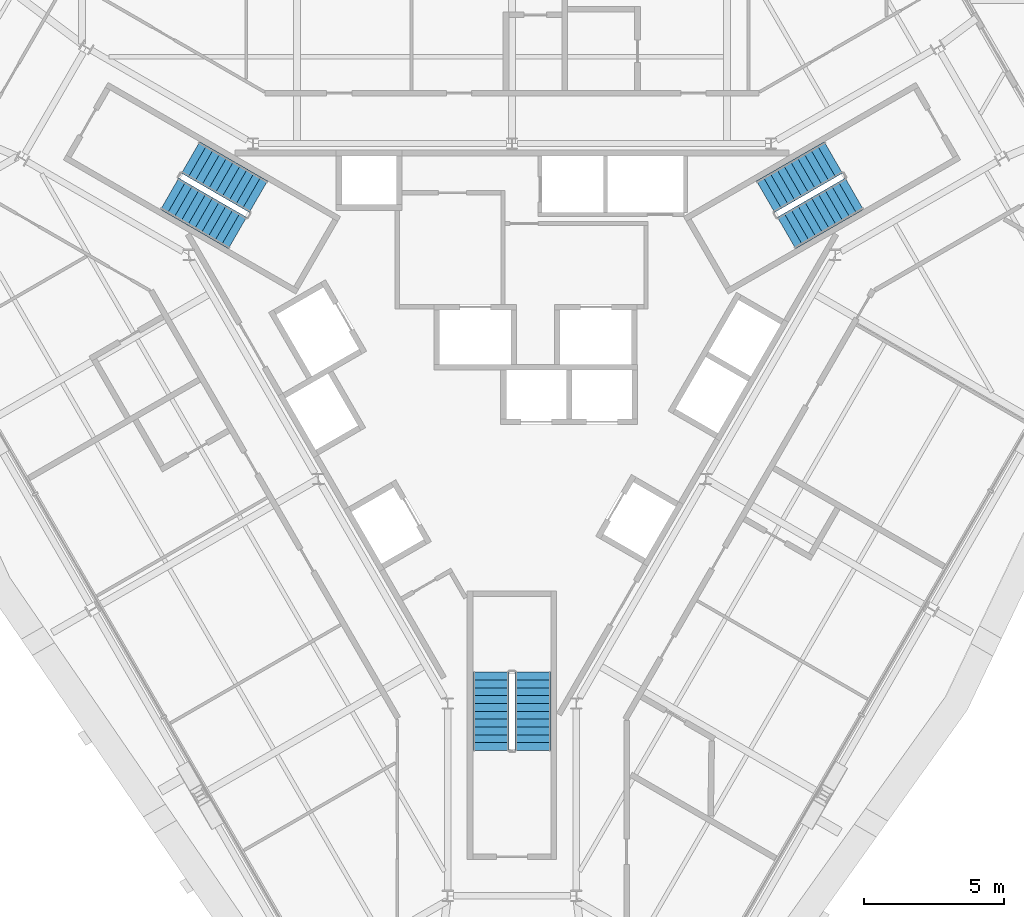
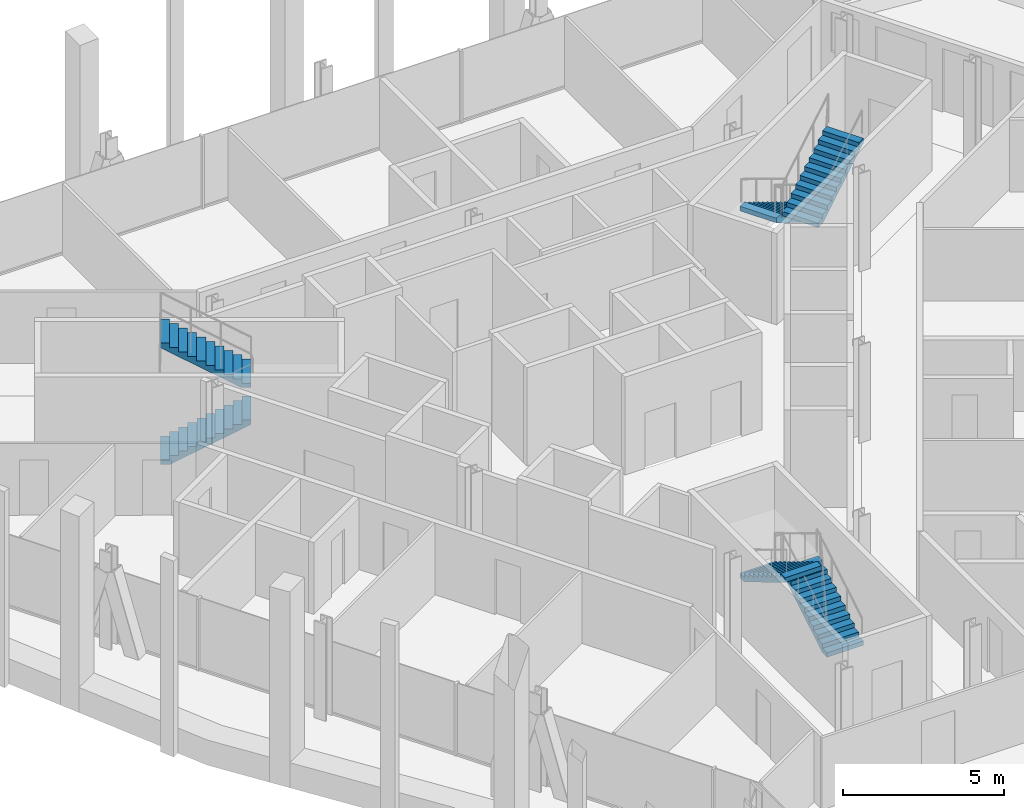
# One storey, part 11 of 13: 6 stair flights, 3 elements without a shape of their own.
"""IFC4 building model written with IfcOpenShell, lengths in metres."""

from ifc_helpers import new_model, si_unit, direction, frame, origin, place, context, subcontext, project, spatial, polyline, outline, extrude, material, type_object, element, aggregate, save


model = new_model("IFC4")

# Units and contexts
model_context = context("Model", 3, precision=1e-05, world=origin(), true_north=direction((0.0, 1.0)))
body_context = subcontext(model_context, "Body", "Model", "MODEL_VIEW")
ifc_project = project(units=[si_unit("LENGTHUNIT", "METRE"), si_unit("AREAUNIT", "SQUARE_METRE"), si_unit("VOLUMEUNIT", "CUBIC_METRE"), si_unit("PLANEANGLEUNIT", "RADIAN"), si_unit("MASSUNIT", "GRAM", prefix="KILO")], contexts=[model_context])

# Site, building, storey
site_placement = place(None, origin())
site = spatial("IfcSite", under=ifc_project, at=site_placement, CompositionType="ELEMENT")
building_placement = place(site_placement, origin())
building = spatial("IfcBuilding", under=site, at=building_placement, Name="Verrane Prism Tower", CompositionType="ELEMENT")
storey_placement = place(building_placement, frame((0.0, 0.0, 171.0)))
storey = spatial("IfcBuildingStorey", under=building, at=storey_placement, Name="L42", CompositionType="ELEMENT", Elevation=171.0)

# Stair, stair flights
ifc_material_1 = material(Name="Concrete C40/50", Category="concrete")
stair_type = type_object("IfcStairType", Name="Exit stair 1300 dog-leg precast concrete C40/50", PredefinedType="HALF_TURN_STAIR", material=ifc_material_1)
stair_1_placement = place(storey_placement, origin())
stair_1 = element("IfcStair", 1, at=stair_1_placement, inside=storey, type_object=stair_type, Name="Stair 1 L42", PredefinedType="HALF_TURN_STAIR")
ifc_material_2 = material(Name="Concrete C40/50", Category="concrete")
stair_flight_type = type_object("IfcStairFlightType", Name="Stair flight 1300 precast concrete C40/50", PredefinedType="STRAIGHT", material=ifc_material_2)
stair_flight_1_placement = place(storey_placement, frame((11.489501953125, 7.49951171875, 0.0), z_axis=(0.0, 0.0, 1.0), x_axis=(-0.866025403784, -0.5, 0.0)))
stair_flight_1 = element("IfcStairFlight", 2, at=stair_flight_1_placement, type_object=stair_flight_type, Name="Stair 1 flight 1", NumberOfRisers=11, NumberOfTreads=10, PredefinedType="STRAIGHT", RiserHeight=0.168181818, TreadLength=0.28, context=body_context, shape_type="SweptSolid", body=[
    extrude(outline(polyline([(0.0, 0.0), (0.0, 0.168212890625), (0.280029296875, 0.168212890625), (0.280029296875, 0.33642578125), (0.56005859375, 0.33642578125), (0.56005859375, 0.504638671875), (0.840087890625, 0.504638671875), (0.840087890625, 0.672607421875), (1.1201171875, 0.672607421875), (1.1201171875, 0.8408203125), (1.39990234375, 0.8408203125), (1.39990234375, 1.009033203125), (1.679931640625, 1.009033203125), (1.679931640625, 1.17724609375), (1.9599609375, 1.17724609375), (1.9599609375, 1.345458984375), (2.239990234375, 1.345458984375), (2.239990234375, 1.513671875), (2.52001953125, 1.513671875), (2.52001953125, 1.681884765625), (2.800048828125, 1.681884765625), (2.800048828125, 1.85009765625), (2.800048828125, 1.5068359375), (0.291015625, 0.0), (0.0, 0.0)])), frame((0.0, 0.64990234375, 0.0), z_axis=(0.0, -1.0, 0.0), x_axis=(1.0, 0.0, 0.0)), (0.0, 0.0, 1.0), 1.300048828125),
])
stair_flight_2_placement = place(storey_placement, frame((9.814697265625, 4.800537109375, 1.85009765625), z_axis=(0.0, 0.0, 1.0), x_axis=(0.866025403784, 0.5, 0.0)))
stair_flight_2 = element("IfcStairFlight", 3, at=stair_flight_2_placement, type_object=stair_flight_type, Name="Stair 1 flight 2", NumberOfRisers=11, NumberOfTreads=10, PredefinedType="STRAIGHT", RiserHeight=0.168181818, TreadLength=0.28, context=body_context, shape_type="SweptSolid", body=[
    extrude(outline(polyline([(0.0, 0.0), (0.0, 0.168212890625), (0.280029296875, 0.168212890625), (0.280029296875, 0.33642578125), (0.56005859375, 0.33642578125), (0.56005859375, 0.504638671875), (0.840087890625, 0.504638671875), (0.840087890625, 0.672607421875), (1.1201171875, 0.672607421875), (1.1201171875, 0.8408203125), (1.39990234375, 0.8408203125), (1.39990234375, 1.009033203125), (1.679931640625, 1.009033203125), (1.679931640625, 1.17724609375), (1.9599609375, 1.17724609375), (1.9599609375, 1.345458984375), (2.239990234375, 1.345458984375), (2.239990234375, 1.513671875), (2.52001953125, 1.513671875), (2.52001953125, 1.681884765625), (2.800048828125, 1.681884765625), (2.800048828125, 1.85009765625), (2.800048828125, 1.5068359375), (0.291015625, 0.0), (0.0, 0.0)])), frame((0.0, 0.64990234375, 0.0), z_axis=(0.0, -1.0, 0.0), x_axis=(1.0, 0.0, 0.0)), (0.0, 0.0, 1.0), 1.300048828125),
])
aggregate(stair_1, [stair_flight_1, stair_flight_2])

stair_2_placement = place(storey_placement, origin())
stair_2 = element("IfcStair", 4, at=stair_2_placement, inside=storey, type_object=stair_type, Name="Stair 2 L42", PredefinedType="HALF_TURN_STAIR")
stair_flight_3_placement = place(storey_placement, frame((-12.239501953125, 6.200439453125, 0.0), z_axis=(0.0, 0.0, 1.0), x_axis=(0.866025403784, -0.5, 0.0)))
stair_flight_3 = element("IfcStairFlight", 5, at=stair_flight_3_placement, type_object=stair_flight_type, Name="Stair 2 flight 1", NumberOfRisers=11, NumberOfTreads=10, PredefinedType="STRAIGHT", RiserHeight=0.168181818, TreadLength=0.28, context=body_context, shape_type="SweptSolid", body=[
    extrude(outline(polyline([(0.0, 0.0), (0.0, 0.168212890625), (0.280029296875, 0.168212890625), (0.280029296875, 0.33642578125), (0.56005859375, 0.33642578125), (0.56005859375, 0.504638671875), (0.840087890625, 0.504638671875), (0.840087890625, 0.672607421875), (1.1201171875, 0.672607421875), (1.1201171875, 0.8408203125), (1.39990234375, 0.8408203125), (1.39990234375, 1.009033203125), (1.679931640625, 1.009033203125), (1.679931640625, 1.17724609375), (1.9599609375, 1.17724609375), (1.9599609375, 1.345458984375), (2.239990234375, 1.345458984375), (2.239990234375, 1.513671875), (2.52001953125, 1.513671875), (2.52001953125, 1.681884765625), (2.800048828125, 1.681884765625), (2.800048828125, 1.85009765625), (2.800048828125, 1.5068359375), (0.291015625, 0.0), (0.0, 0.0)])), frame((0.0, 0.64990234375, 0.0), z_axis=(0.0, -1.0, 0.0), x_axis=(1.0, 0.0, 0.0)), (0.0, 0.0, 1.0), 1.300048828125),
])
stair_flight_4_placement = place(storey_placement, frame((-9.064697265625, 6.099609375, 1.85009765625), z_axis=(0.0, 0.0, 1.0), x_axis=(-0.866025403784, 0.5, 0.0)))
stair_flight_4 = element("IfcStairFlight", 6, at=stair_flight_4_placement, type_object=stair_flight_type, Name="Stair 2 flight 2", NumberOfRisers=11, NumberOfTreads=10, PredefinedType="STRAIGHT", RiserHeight=0.168181818, TreadLength=0.28, context=body_context, shape_type="SweptSolid", body=[
    extrude(outline(polyline([(0.0, 0.0), (0.0, 0.168212890625), (0.280029296875, 0.168212890625), (0.280029296875, 0.33642578125), (0.56005859375, 0.33642578125), (0.56005859375, 0.504638671875), (0.840087890625, 0.504638671875), (0.840087890625, 0.672607421875), (1.1201171875, 0.672607421875), (1.1201171875, 0.8408203125), (1.39990234375, 0.8408203125), (1.39990234375, 1.009033203125), (1.679931640625, 1.009033203125), (1.679931640625, 1.17724609375), (1.9599609375, 1.17724609375), (1.9599609375, 1.345458984375), (2.239990234375, 1.345458984375), (2.239990234375, 1.513671875), (2.52001953125, 1.513671875), (2.52001953125, 1.681884765625), (2.800048828125, 1.681884765625), (2.800048828125, 1.85009765625), (2.800048828125, 1.5068359375), (0.291015625, 0.0), (0.0, 0.0)])), frame((0.0, 0.64990234375, 0.0), z_axis=(0.0, -1.0, 0.0), x_axis=(1.0, 0.0, 0.0)), (0.0, 0.0, 1.0), 1.300048828125),
])
aggregate(stair_2, [stair_flight_3, stair_flight_4])

stair_3_placement = place(storey_placement, origin())
stair_3 = element("IfcStair", 7, at=stair_3_placement, inside=storey, type_object=stair_type, Name="Stair 3 L42", PredefinedType="HALF_TURN_STAIR")
stair_flight_5_placement = place(storey_placement, frame((0.75, -13.699951171875, 0.0), z_axis=(0.0, 0.0, 1.0), x_axis=(0.0, 1.0, 0.0)))
stair_flight_5 = element("IfcStairFlight", 8, at=stair_flight_5_placement, type_object=stair_flight_type, Name="Stair 3 flight 1", NumberOfRisers=11, NumberOfTreads=10, PredefinedType="STRAIGHT", RiserHeight=0.168181818, TreadLength=0.28, context=body_context, shape_type="SweptSolid", body=[
    extrude(outline(polyline([(0.0, 0.0), (0.0, 0.168212890625), (0.280029296875, 0.168212890625), (0.280029296875, 0.33642578125), (0.56005859375, 0.33642578125), (0.56005859375, 0.504638671875), (0.840087890625, 0.504638671875), (0.840087890625, 0.672607421875), (1.1201171875, 0.672607421875), (1.1201171875, 0.8408203125), (1.39990234375, 0.8408203125), (1.39990234375, 1.009033203125), (1.679931640625, 1.009033203125), (1.679931640625, 1.17724609375), (1.9599609375, 1.17724609375), (1.9599609375, 1.345458984375), (2.239990234375, 1.345458984375), (2.239990234375, 1.513671875), (2.52001953125, 1.513671875), (2.52001953125, 1.681884765625), (2.800048828125, 1.681884765625), (2.800048828125, 1.85009765625), (2.800048828125, 1.5068359375), (0.291015625, 0.0), (0.0, 0.0)])), frame((0.0, 0.64990234375, 0.0), z_axis=(0.0, -1.0, 0.0), x_axis=(1.0, 0.0, 0.0)), (0.0, 0.0, 1.0), 1.300048828125),
])
stair_flight_6_placement = place(storey_placement, frame((-0.75, -10.89990234375, 1.85009765625), z_axis=(0.0, 0.0, 1.0), x_axis=(0.0, -1.0, 0.0)))
stair_flight_6 = element("IfcStairFlight", 9, at=stair_flight_6_placement, type_object=stair_flight_type, Name="Stair 3 flight 2", NumberOfRisers=11, NumberOfTreads=10, PredefinedType="STRAIGHT", RiserHeight=0.168181818, TreadLength=0.28, context=body_context, shape_type="SweptSolid", body=[
    extrude(outline(polyline([(0.0, 0.0), (0.0, 0.168212890625), (0.280029296875, 0.168212890625), (0.280029296875, 0.33642578125), (0.56005859375, 0.33642578125), (0.56005859375, 0.504638671875), (0.840087890625, 0.504638671875), (0.840087890625, 0.672607421875), (1.1201171875, 0.672607421875), (1.1201171875, 0.8408203125), (1.39990234375, 0.8408203125), (1.39990234375, 1.009033203125), (1.679931640625, 1.009033203125), (1.679931640625, 1.17724609375), (1.9599609375, 1.17724609375), (1.9599609375, 1.345458984375), (2.239990234375, 1.345458984375), (2.239990234375, 1.513671875), (2.52001953125, 1.513671875), (2.52001953125, 1.681884765625), (2.800048828125, 1.681884765625), (2.800048828125, 1.85009765625), (2.800048828125, 1.5068359375), (0.291015625, 0.0), (0.0, 0.0)])), frame((0.0, 0.64990234375, 0.0), z_axis=(0.0, -1.0, 0.0), x_axis=(1.0, 0.0, 0.0)), (0.0, 0.0, 1.0), 1.300048828125),
])
aggregate(stair_3, [stair_flight_5, stair_flight_6])

save(model, "model.ifc")
